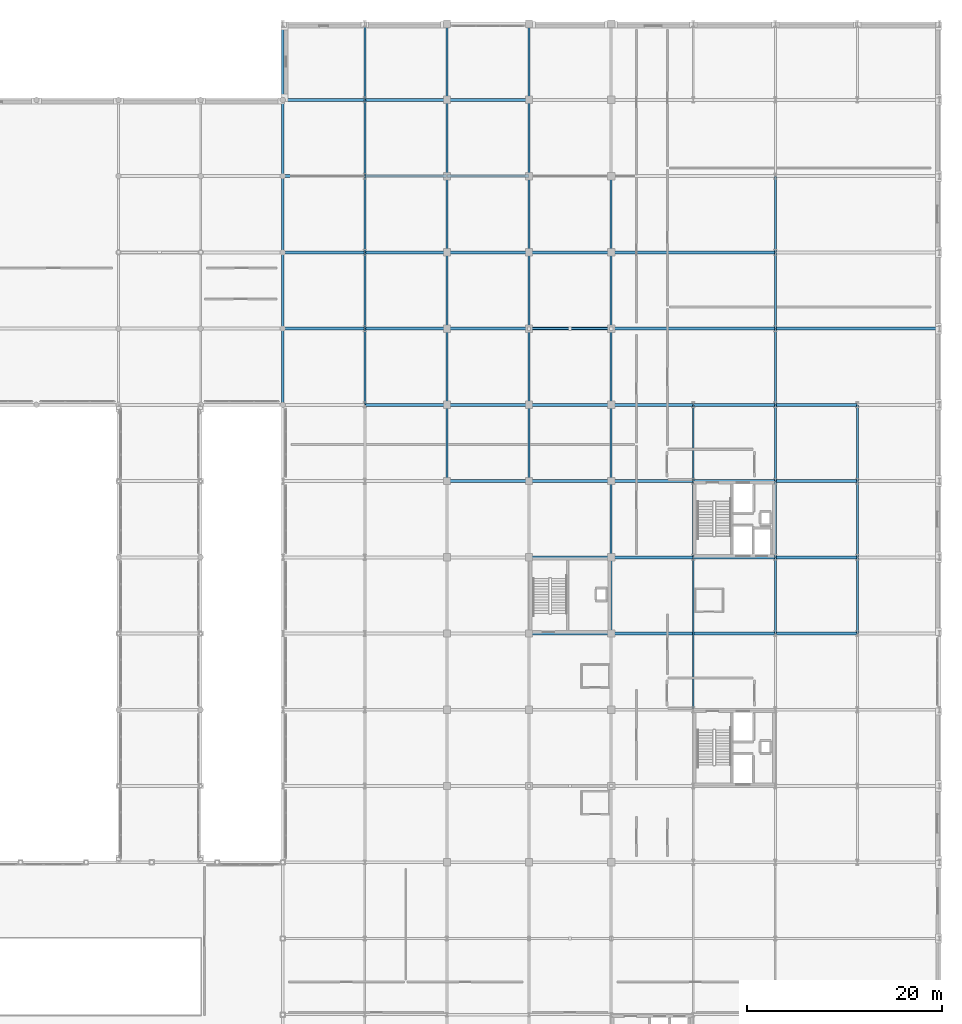
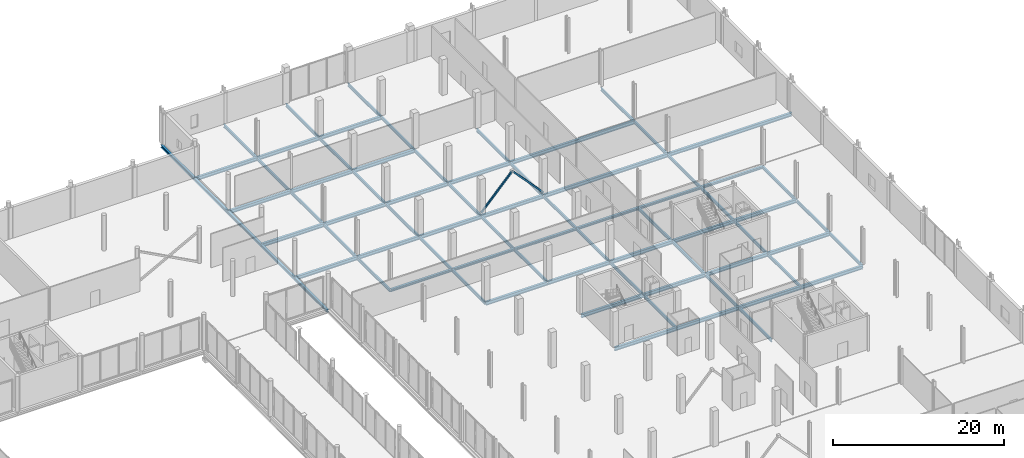
# One storey, part 62 of 105: 75 beams, 2 members.
"""IFC4 building model written with IfcOpenShell, lengths in metres."""

from ifc_helpers import new_model, si_unit, direction, frame, origin, origin_2d, place, context, subcontext, project, spatial, hollow_rectangle, i_section, extrude, material, material_profile, profile_set, type_object, element, save


model = new_model("IFC4")

# Units and contexts
model_context = context("Model", 3, precision=1e-05, world=origin(), true_north=direction((0.0, 1.0)))
body_context = subcontext(model_context, "Body", "Model", "MODEL_VIEW")
ifc_project = project(units=[si_unit("LENGTHUNIT", "METRE"), si_unit("AREAUNIT", "SQUARE_METRE"), si_unit("VOLUMEUNIT", "CUBIC_METRE"), si_unit("PLANEANGLEUNIT", "RADIAN"), si_unit("MASSUNIT", "GRAM", prefix="KILO")], contexts=[model_context])

# Site, building, storey
site_placement = place(None, origin())
site = spatial("IfcSite", under=ifc_project, at=site_placement, CompositionType="ELEMENT")
building_placement = place(site_placement, origin())
building = spatial("IfcBuilding", under=site, at=building_placement, Name="Nabrawat Pavilion Hospital", CompositionType="ELEMENT")
storey_placement = place(building_placement, frame((0.0, 0.0, 5.10009765625)))
storey = spatial("IfcBuildingStorey", under=building, at=storey_placement, Name="L01", CompositionType="ELEMENT", Elevation=5.10009765625)

# Members
ifc_material = material(Name="Steel S355", Category="steel")
ifc_material_profile_1 = material_profile(ifc_material, hollow_rectangle(XDim=0.199951171875, YDim=0.199951171875, WallThickness=0.012451171875, at=origin_2d()), Name="SHS 200x200x12.5")
ifc_profile_set_1 = profile_set([ifc_material_profile_1], Name="Steel S355")
member_type = type_object("IfcMemberType", Name="Mid Seismic Chevron Brace SHS 200x200x12.5", PredefinedType="BRACE", material=ifc_profile_set_1)
for number, where, z_axis, x_axis, name in (
    (1, (151.199951171875, 93.60009765625, 0.0498046875), (0.682314010889, 0.0, 0.73105922506), (0.0, 1.0, 0.0), "L01 Seismic Concentric Chevron Brace 069"),
    (2, (159.60009765625, 93.60009765625, 0.0498046875), (-0.682335207557, 0.0, 0.731039441158), (0.0, -1.0, 0.0), "L01 Seismic Concentric Chevron Brace 070"),
):
    element("IfcMember", number, at=place(storey_placement, frame(where, z_axis=z_axis, x_axis=x_axis)), inside=storey, type_object=member_type, Name=name, PredefinedType="BRACE", context=body_context, shape_type="SweptSolid", body=[
        extrude(hollow_rectangle(XDim=0.199951171875, YDim=0.199951171875, WallThickness=0.012451171875, at=origin_2d()), origin(), (0.0, 0.0, 1.0), 6.155517578125),
    ])

# Beams
ifc_material_profile_2 = material_profile(ifc_material, i_section(OverallWidth=0.300048828125, OverallDepth=0.389892578125, WebThickness=0.010986328125, FlangeThickness=0.01904296875, FilletRadius=0.027099609375, at=origin_2d()), Name="HEA 400")
ifc_profile_set_2 = profile_set([ifc_material_profile_2], Name="Steel S355")
beam_type_1 = type_object("IfcBeamType", Name="Perimeter Moment Spandrel Beam HEA 400", PredefinedType="SPANDREL", material=ifc_profile_set_2)
beam_1_placement = place(storey_placement, frame((126.0, 85.820068359375, -0.47509765625), z_axis=(0.0, 1.0, 0.0), x_axis=(-1.0, 0.0, 0.0)))
element("IfcBeam", 3, at=beam_1_placement, inside=storey, type_object=beam_type_1, Name="L01 Primary Y Beam 809", PredefinedType="SPANDREL", context=body_context, shape_type="SweptSolid", body=[
    extrude(i_section(OverallWidth=0.300048828125, OverallDepth=0.389892578125, WebThickness=0.010986328125, FlangeThickness=0.01904296875, FilletRadius=0.027099609375, at=origin_2d()), origin(), (0.0, 0.0, 1.0), 7.760009765625),
])
beam_2_placement = place(storey_placement, frame((126.0, 93.6201171875, -0.47509765625), z_axis=(0.0, 1.0, 0.0), x_axis=(-1.0, 0.0, 0.0)))
element("IfcBeam", 4, at=beam_2_placement, inside=storey, type_object=beam_type_1, Name="L01 Primary Y Beam 810", PredefinedType="SPANDREL", context=body_context, shape_type="SweptSolid", body=[
    extrude(i_section(OverallWidth=0.300048828125, OverallDepth=0.389892578125, WebThickness=0.010986328125, FlangeThickness=0.01904296875, FilletRadius=0.027099609375, at=origin_2d()), origin(), (0.0, 0.0, 1.0), 7.759765625),
])
for number, where, z_axis, x_axis, name in (
    (5, (126.0, 101.419921875, -0.47509765625), (0.0, 1.0, 0.0), (-1.0, 0.0, 0.0), "L01 Primary Y Beam 811"),
    (6, (126.0, 109.219970703125, -0.47509765625), (0.0, 1.0, 0.0), (-1.0, 0.0, 0.0), "L01 Primary Y Beam 812"),
    (7, (126.0, 117.02001953125, -0.445068359375), (0.0, 1.0, 0.0), (-1.0, 0.0, 0.0), "L01 Primary Y Beam 813"),
):
    element("IfcBeam", number, at=place(storey_placement, frame(where, z_axis=z_axis, x_axis=x_axis)), inside=storey, type_object=beam_type_1, Name=name, PredefinedType="SPANDREL", context=body_context, shape_type="SweptSolid", body=[
        extrude(i_section(OverallWidth=0.300048828125, OverallDepth=0.389892578125, WebThickness=0.010986328125, FlangeThickness=0.01904296875, FilletRadius=0.027099609375, at=origin_2d()), origin(), (0.0, 0.0, 1.0), 7.760009765625),
    ])
ifc_material_profile_3 = material_profile(ifc_material, i_section(OverallWidth=0.300048828125, OverallDepth=0.5, WebThickness=0.014404296875, FlangeThickness=0.028076171875, FilletRadius=0.027099609375, at=origin_2d()), Name="HEB 500")
ifc_profile_set_3 = profile_set([ifc_material_profile_3], Name="Steel S355")
beam_type_2 = type_object("IfcBeamType", Name="Primary Floor Girder HEB 500", PredefinedType="USERDEFINED", material=ifc_profile_set_3)
beam_3_placement = place(storey_placement, frame((151.219970703125, 62.39990234375, -0.5), z_axis=(1.0, 0.0, 0.0), x_axis=(0.0, 1.0, 0.0)))
element("IfcBeam", 8, at=beam_3_placement, inside=storey, type_object=beam_type_2, Name="L01 Primary X Girder 571", ObjectType="GIRDER", PredefinedType="USERDEFINED", context=body_context, shape_type="SweptSolid", body=[
    extrude(i_section(OverallWidth=0.300048828125, OverallDepth=0.5, WebThickness=0.014404296875, FlangeThickness=0.028076171875, FilletRadius=0.027099609375, at=origin_2d()), origin(), (0.0, 0.0, 1.0), 8.360107421875),
])
beam_4_placement = place(storey_placement, frame((159.6201171875, 62.39990234375, -0.5), z_axis=(1.0, 0.0, 0.0), x_axis=(0.0, 1.0, 0.0)))
element("IfcBeam", 9, at=beam_4_placement, inside=storey, type_object=beam_type_2, Name="L01 Primary X Girder 572", ObjectType="GIRDER", PredefinedType="USERDEFINED", context=body_context, shape_type="SweptSolid", body=[
    extrude(i_section(OverallWidth=0.300048828125, OverallDepth=0.5, WebThickness=0.014404296875, FlangeThickness=0.028076171875, FilletRadius=0.027099609375, at=origin_2d()), origin(), (0.0, 0.0, 1.0), 16.759765625),
])
for number, where, z_axis, x_axis, name in (
    (10, (176.419921875, 62.39990234375, -0.5), (1.0, 0.0, 0.0), (0.0, 1.0, 0.0), "L01 Primary X Girder 573"),
    (11, (151.219970703125, 70.199951171875, -0.5), (1.0, 0.0, 0.0), (0.0, 1.0, 0.0), "L01 Primary X Girder 582"),
):
    element("IfcBeam", number, at=place(storey_placement, frame(where, z_axis=z_axis, x_axis=x_axis)), inside=storey, type_object=beam_type_2, Name=name, ObjectType="GIRDER", PredefinedType="USERDEFINED", context=body_context, shape_type="SweptSolid", body=[
        extrude(i_section(OverallWidth=0.300048828125, OverallDepth=0.5, WebThickness=0.014404296875, FlangeThickness=0.028076171875, FilletRadius=0.027099609375, at=origin_2d()), origin(), (0.0, 0.0, 1.0), 8.360107421875),
    ])
for number, where, z_axis, x_axis, name in (
    (12, (159.6201171875, 70.199951171875, -0.5), (1.0, 0.0, 0.0), (0.0, 1.0, 0.0), "L01 Primary X Girder 583"),
    (13, (168.02001953125, 70.199951171875, -0.5), (1.0, 0.0, 0.0), (0.0, 1.0, 0.0), "L01 Primary X Girder 584"),
):
    element("IfcBeam", number, at=place(storey_placement, frame(where, z_axis=z_axis, x_axis=x_axis)), inside=storey, type_object=beam_type_2, Name=name, ObjectType="GIRDER", PredefinedType="USERDEFINED", context=body_context, shape_type="SweptSolid", body=[
        extrude(i_section(OverallWidth=0.300048828125, OverallDepth=0.5, WebThickness=0.014404296875, FlangeThickness=0.028076171875, FilletRadius=0.027099609375, at=origin_2d()), origin(), (0.0, 0.0, 1.0), 8.35986328125),
    ])
beam_5_placement = place(storey_placement, frame((176.419921875, 70.199951171875, -0.5), z_axis=(1.0, 0.0, 0.0), x_axis=(0.0, 1.0, 0.0)))
element("IfcBeam", 14, at=beam_5_placement, inside=storey, type_object=beam_type_2, Name="L01 Primary X Girder 585", ObjectType="GIRDER", PredefinedType="USERDEFINED", context=body_context, shape_type="SweptSolid", body=[
    extrude(i_section(OverallWidth=0.300048828125, OverallDepth=0.5, WebThickness=0.014404296875, FlangeThickness=0.028076171875, FilletRadius=0.027099609375, at=origin_2d()), origin(), (0.0, 0.0, 1.0), 8.360107421875),
])
beam_6_placement = place(storey_placement, frame((142.820068359375, 78.0, -0.5), z_axis=(1.0, 0.0, 0.0), x_axis=(0.0, 1.0, 0.0)))
element("IfcBeam", 15, at=beam_6_placement, inside=storey, type_object=beam_type_2, Name="L01 Primary X Girder 593", ObjectType="GIRDER", PredefinedType="USERDEFINED", context=body_context, shape_type="SweptSolid", body=[
    extrude(i_section(OverallWidth=0.300048828125, OverallDepth=0.5, WebThickness=0.014404296875, FlangeThickness=0.028076171875, FilletRadius=0.027099609375, at=origin_2d()), origin(), (0.0, 0.0, 1.0), 8.35986328125),
])
beam_7_placement = place(storey_placement, frame((151.219970703125, 78.0, -0.5), z_axis=(1.0, 0.0, 0.0), x_axis=(0.0, 1.0, 0.0)))
element("IfcBeam", 16, at=beam_7_placement, inside=storey, type_object=beam_type_2, Name="L01 Primary X Girder 594", ObjectType="GIRDER", PredefinedType="USERDEFINED", context=body_context, shape_type="SweptSolid", body=[
    extrude(i_section(OverallWidth=0.300048828125, OverallDepth=0.5, WebThickness=0.014404296875, FlangeThickness=0.028076171875, FilletRadius=0.027099609375, at=origin_2d()), origin(), (0.0, 0.0, 1.0), 8.360107421875),
])
for number, where, z_axis, x_axis, name in (
    (17, (159.6201171875, 78.0, -0.5), (1.0, 0.0, 0.0), (0.0, 1.0, 0.0), "L01 Primary X Girder 595"),
    (18, (168.02001953125, 78.0, -0.5), (1.0, 0.0, 0.0), (0.0, 1.0, 0.0), "L01 Primary X Girder 596"),
):
    element("IfcBeam", number, at=place(storey_placement, frame(where, z_axis=z_axis, x_axis=x_axis)), inside=storey, type_object=beam_type_2, Name=name, ObjectType="GIRDER", PredefinedType="USERDEFINED", context=body_context, shape_type="SweptSolid", body=[
        extrude(i_section(OverallWidth=0.300048828125, OverallDepth=0.5, WebThickness=0.014404296875, FlangeThickness=0.028076171875, FilletRadius=0.027099609375, at=origin_2d()), origin(), (0.0, 0.0, 1.0), 8.35986328125),
    ])
beam_8_placement = place(storey_placement, frame((176.419921875, 78.0, -0.5), z_axis=(1.0, 0.0, 0.0), x_axis=(0.0, 1.0, 0.0)))
element("IfcBeam", 19, at=beam_8_placement, inside=storey, type_object=beam_type_2, Name="L01 Primary X Girder 597", ObjectType="GIRDER", PredefinedType="USERDEFINED", context=body_context, shape_type="SweptSolid", body=[
    extrude(i_section(OverallWidth=0.300048828125, OverallDepth=0.5, WebThickness=0.014404296875, FlangeThickness=0.028076171875, FilletRadius=0.027099609375, at=origin_2d()), origin(), (0.0, 0.0, 1.0), 8.360107421875),
])
beam_9_placement = place(storey_placement, frame((126.02001953125, 93.60009765625, -0.5), z_axis=(1.0, 0.0, 0.0), x_axis=(0.0, 1.0, 0.0)))
element("IfcBeam", 20, at=beam_9_placement, inside=storey, type_object=beam_type_2, Name="L01 Primary X Girder 632", ObjectType="GIRDER", PredefinedType="USERDEFINED", context=body_context, shape_type="SweptSolid", body=[
    extrude(i_section(OverallWidth=0.300048828125, OverallDepth=0.5, WebThickness=0.014404296875, FlangeThickness=0.028076171875, FilletRadius=0.027099609375, at=origin_2d()), origin(), (0.0, 0.0, 1.0), 8.35986328125),
])
beam_10_placement = place(storey_placement, frame((134.419921875, 93.60009765625, -0.5), z_axis=(1.0, 0.0, 0.0), x_axis=(0.0, 1.0, 0.0)))
element("IfcBeam", 21, at=beam_10_placement, inside=storey, type_object=beam_type_2, Name="L01 Primary X Girder 633", ObjectType="GIRDER", PredefinedType="USERDEFINED", context=body_context, shape_type="SweptSolid", body=[
    extrude(i_section(OverallWidth=0.300048828125, OverallDepth=0.5, WebThickness=0.014404296875, FlangeThickness=0.028076171875, FilletRadius=0.027099609375, at=origin_2d()), origin(), (0.0, 0.0, 1.0), 8.360107421875),
])
beam_11_placement = place(storey_placement, frame((142.820068359375, 93.60009765625, -0.5), z_axis=(1.0, 0.0, 0.0), x_axis=(0.0, 1.0, 0.0)))
element("IfcBeam", 22, at=beam_11_placement, inside=storey, type_object=beam_type_2, Name="L01 Primary X Girder 634", ObjectType="GIRDER", PredefinedType="USERDEFINED", context=body_context, shape_type="SweptSolid", body=[
    extrude(i_section(OverallWidth=0.300048828125, OverallDepth=0.5, WebThickness=0.014404296875, FlangeThickness=0.028076171875, FilletRadius=0.027099609375, at=origin_2d()), origin(), (0.0, 0.0, 1.0), 8.35986328125),
])
beam_12_placement = place(storey_placement, frame((151.219970703125, 93.60009765625, -0.5), z_axis=(1.0, 0.0, 0.0), x_axis=(0.0, 1.0, 0.0)))
element("IfcBeam", 23, at=beam_12_placement, inside=storey, type_object=beam_type_2, Name="L01 Primary X Girder 635", ObjectType="GIRDER", PredefinedType="USERDEFINED", context=body_context, shape_type="SweptSolid", body=[
    extrude(i_section(OverallWidth=0.300048828125, OverallDepth=0.5, WebThickness=0.014404296875, FlangeThickness=0.028076171875, FilletRadius=0.027099609375, at=origin_2d()), origin(), (0.0, 0.0, 1.0), 8.360107421875),
])
beam_13_placement = place(storey_placement, frame((159.6201171875, 93.60009765625, -0.5), z_axis=(1.0, 0.0, 0.0), x_axis=(0.0, 1.0, 0.0)))
element("IfcBeam", 24, at=beam_13_placement, inside=storey, type_object=beam_type_2, Name="L01 Primary X Girder 636", ObjectType="GIRDER", PredefinedType="USERDEFINED", context=body_context, shape_type="SweptSolid", body=[
    extrude(i_section(OverallWidth=0.300048828125, OverallDepth=0.5, WebThickness=0.014404296875, FlangeThickness=0.028076171875, FilletRadius=0.027099609375, at=origin_2d()), origin(), (0.0, 0.0, 1.0), 16.759765625),
])
beam_14_placement = place(storey_placement, frame((176.419921875, 93.60009765625, -0.5), z_axis=(1.0, 0.0, 0.0), x_axis=(0.0, 1.0, 0.0)))
element("IfcBeam", 25, at=beam_14_placement, inside=storey, type_object=beam_type_2, Name="L01 Primary X Girder 637", ObjectType="GIRDER", PredefinedType="USERDEFINED", context=body_context, shape_type="SweptSolid", body=[
    extrude(i_section(OverallWidth=0.300048828125, OverallDepth=0.5, WebThickness=0.014404296875, FlangeThickness=0.028076171875, FilletRadius=0.027099609375, at=origin_2d()), origin(), (0.0, 0.0, 1.0), 16.760009765625),
])
beam_15_placement = place(storey_placement, frame((126.02001953125, 101.39990234375, -0.5), z_axis=(1.0, 0.0, 0.0), x_axis=(0.0, 1.0, 0.0)))
element("IfcBeam", 26, at=beam_15_placement, inside=storey, type_object=beam_type_2, Name="L01 Primary X Girder 645", ObjectType="GIRDER", PredefinedType="USERDEFINED", context=body_context, shape_type="SweptSolid", body=[
    extrude(i_section(OverallWidth=0.300048828125, OverallDepth=0.5, WebThickness=0.014404296875, FlangeThickness=0.028076171875, FilletRadius=0.027099609375, at=origin_2d()), origin(), (0.0, 0.0, 1.0), 8.35986328125),
])
beam_16_placement = place(storey_placement, frame((134.419921875, 101.39990234375, -0.5), z_axis=(1.0, 0.0, 0.0), x_axis=(0.0, 1.0, 0.0)))
element("IfcBeam", 27, at=beam_16_placement, inside=storey, type_object=beam_type_2, Name="L01 Primary X Girder 646", ObjectType="GIRDER", PredefinedType="USERDEFINED", context=body_context, shape_type="SweptSolid", body=[
    extrude(i_section(OverallWidth=0.300048828125, OverallDepth=0.5, WebThickness=0.014404296875, FlangeThickness=0.028076171875, FilletRadius=0.027099609375, at=origin_2d()), origin(), (0.0, 0.0, 1.0), 8.360107421875),
])
beam_17_placement = place(storey_placement, frame((142.820068359375, 101.39990234375, -0.5), z_axis=(1.0, 0.0, 0.0), x_axis=(0.0, 1.0, 0.0)))
element("IfcBeam", 28, at=beam_17_placement, inside=storey, type_object=beam_type_2, Name="L01 Primary X Girder 647", ObjectType="GIRDER", PredefinedType="USERDEFINED", context=body_context, shape_type="SweptSolid", body=[
    extrude(i_section(OverallWidth=0.300048828125, OverallDepth=0.5, WebThickness=0.014404296875, FlangeThickness=0.028076171875, FilletRadius=0.027099609375, at=origin_2d()), origin(), (0.0, 0.0, 1.0), 8.35986328125),
])
beam_18_placement = place(storey_placement, frame((151.219970703125, 101.39990234375, -0.5), z_axis=(1.0, 0.0, 0.0), x_axis=(0.0, 1.0, 0.0)))
element("IfcBeam", 29, at=beam_18_placement, inside=storey, type_object=beam_type_2, Name="L01 Primary X Girder 648", ObjectType="GIRDER", PredefinedType="USERDEFINED", context=body_context, shape_type="SweptSolid", body=[
    extrude(i_section(OverallWidth=0.300048828125, OverallDepth=0.5, WebThickness=0.014404296875, FlangeThickness=0.028076171875, FilletRadius=0.027099609375, at=origin_2d()), origin(), (0.0, 0.0, 1.0), 8.360107421875),
])
beam_19_placement = place(storey_placement, frame((159.6201171875, 101.39990234375, -0.5), z_axis=(1.0, 0.0, 0.0), x_axis=(0.0, 1.0, 0.0)))
element("IfcBeam", 30, at=beam_19_placement, inside=storey, type_object=beam_type_2, Name="L01 Primary X Girder 649", ObjectType="GIRDER", PredefinedType="USERDEFINED", context=body_context, shape_type="SweptSolid", body=[
    extrude(i_section(OverallWidth=0.300048828125, OverallDepth=0.5, WebThickness=0.014404296875, FlangeThickness=0.028076171875, FilletRadius=0.027099609375, at=origin_2d()), origin(), (0.0, 0.0, 1.0), 16.759765625),
])
beam_20_placement = place(storey_placement, frame((126.02001953125, 109.199951171875, -0.5), z_axis=(1.0, 0.0, 0.0), x_axis=(0.0, 1.0, 0.0)))
element("IfcBeam", 31, at=beam_20_placement, inside=storey, type_object=beam_type_2, Name="L01 Primary X Girder 657", ObjectType="GIRDER", PredefinedType="USERDEFINED", context=body_context, shape_type="SweptSolid", body=[
    extrude(i_section(OverallWidth=0.300048828125, OverallDepth=0.5, WebThickness=0.014404296875, FlangeThickness=0.028076171875, FilletRadius=0.027099609375, at=origin_2d()), origin(), (0.0, 0.0, 1.0), 8.35986328125),
])
beam_21_placement = place(storey_placement, frame((134.419921875, 109.199951171875, -0.5), z_axis=(1.0, 0.0, 0.0), x_axis=(0.0, 1.0, 0.0)))
element("IfcBeam", 32, at=beam_21_placement, inside=storey, type_object=beam_type_2, Name="L01 Primary X Girder 658", ObjectType="GIRDER", PredefinedType="USERDEFINED", context=body_context, shape_type="SweptSolid", body=[
    extrude(i_section(OverallWidth=0.300048828125, OverallDepth=0.5, WebThickness=0.014404296875, FlangeThickness=0.028076171875, FilletRadius=0.027099609375, at=origin_2d()), origin(), (0.0, 0.0, 1.0), 8.360107421875),
])
for number, where, z_axis, x_axis, name in (
    (33, (142.820068359375, 109.199951171875, -0.5), (1.0, 0.0, 0.0), (0.0, 1.0, 0.0), "L01 Primary X Girder 659"),
    (34, (126.02001953125, 117.0, -0.5), (1.0, 0.0, 0.0), (0.0, 1.0, 0.0), "L01 Primary X Girder 678"),
):
    element("IfcBeam", number, at=place(storey_placement, frame(where, z_axis=z_axis, x_axis=x_axis)), inside=storey, type_object=beam_type_2, Name=name, ObjectType="GIRDER", PredefinedType="USERDEFINED", context=body_context, shape_type="SweptSolid", body=[
        extrude(i_section(OverallWidth=0.300048828125, OverallDepth=0.5, WebThickness=0.014404296875, FlangeThickness=0.028076171875, FilletRadius=0.027099609375, at=origin_2d()), origin(), (0.0, 0.0, 1.0), 8.35986328125),
    ])
beam_22_placement = place(storey_placement, frame((134.419921875, 117.0, -0.5), z_axis=(1.0, 0.0, 0.0), x_axis=(0.0, 1.0, 0.0)))
element("IfcBeam", 35, at=beam_22_placement, inside=storey, type_object=beam_type_2, Name="L01 Primary X Girder 679", ObjectType="GIRDER", PredefinedType="USERDEFINED", context=body_context, shape_type="SweptSolid", body=[
    extrude(i_section(OverallWidth=0.300048828125, OverallDepth=0.5, WebThickness=0.014404296875, FlangeThickness=0.028076171875, FilletRadius=0.027099609375, at=origin_2d()), origin(), (0.0, 0.0, 1.0), 8.360107421875),
])
beam_23_placement = place(storey_placement, frame((142.820068359375, 117.0, -0.5), z_axis=(1.0, 0.0, 0.0), x_axis=(0.0, 1.0, 0.0)))
element("IfcBeam", 36, at=beam_23_placement, inside=storey, type_object=beam_type_2, Name="L01 Primary X Girder 680", ObjectType="GIRDER", PredefinedType="USERDEFINED", context=body_context, shape_type="SweptSolid", body=[
    extrude(i_section(OverallWidth=0.300048828125, OverallDepth=0.5, WebThickness=0.014404296875, FlangeThickness=0.028076171875, FilletRadius=0.027099609375, at=origin_2d()), origin(), (0.0, 0.0, 1.0), 8.35986328125),
])
ifc_material_profile_4 = material_profile(ifc_material, i_section(OverallWidth=0.18994140625, OverallDepth=0.449951171875, WebThickness=0.009521484375, FlangeThickness=0.0146484375, FilletRadius=0.02099609375, at=origin_2d()), Name="IPE 450")
ifc_profile_set_4 = profile_set([ifc_material_profile_4], Name="Steel S355")
beam_type_3 = type_object("IfcBeamType", Name="Primary Y Floor Beam IPE 450", PredefinedType="BEAM", material=ifc_profile_set_4)
beam_24_placement = place(storey_placement, frame((134.39990234375, 85.820068359375, -0.47509765625), z_axis=(0.0, 1.0, 0.0), x_axis=(-1.0, 0.0, 0.0)))
element("IfcBeam", 37, at=beam_24_placement, inside=storey, type_object=beam_type_3, Name="L01 Primary Y Beam 825", PredefinedType="BEAM", context=body_context, shape_type="SweptSolid", body=[
    extrude(i_section(OverallWidth=0.18994140625, OverallDepth=0.449951171875, WebThickness=0.009521484375, FlangeThickness=0.0146484375, FilletRadius=0.02099609375, at=origin_2d()), origin(), (0.0, 0.0, 1.0), 7.760009765625),
])
beam_25_placement = place(storey_placement, frame((134.39990234375, 93.6201171875, -0.47509765625), z_axis=(0.0, 1.0, 0.0), x_axis=(-1.0, 0.0, 0.0)))
element("IfcBeam", 38, at=beam_25_placement, inside=storey, type_object=beam_type_3, Name="L01 Primary Y Beam 826", PredefinedType="BEAM", context=body_context, shape_type="SweptSolid", body=[
    extrude(i_section(OverallWidth=0.18994140625, OverallDepth=0.449951171875, WebThickness=0.009521484375, FlangeThickness=0.0146484375, FilletRadius=0.02099609375, at=origin_2d()), origin(), (0.0, 0.0, 1.0), 7.759765625),
])
for number, where, z_axis, x_axis, name in (
    (39, (134.39990234375, 101.419921875, -0.47509765625), (0.0, 1.0, 0.0), (-1.0, 0.0, 0.0), "L01 Primary Y Beam 827"),
    (40, (134.39990234375, 109.219970703125, -0.47509765625), (0.0, 1.0, 0.0), (-1.0, 0.0, 0.0), "L01 Primary Y Beam 828"),
    (41, (134.39990234375, 117.02001953125, -0.47509765625), (0.0, 1.0, 0.0), (-1.0, 0.0, 0.0), "L01 Primary Y Beam 829"),
    (42, (142.800048828125, 78.02001953125, -0.47509765625), (0.0, 1.0, 0.0), (-1.0, 0.0, 0.0), "L01 Primary Y Beam 840"),
    (43, (142.800048828125, 85.820068359375, -0.47509765625), (0.0, 1.0, 0.0), (-1.0, 0.0, 0.0), "L01 Primary Y Beam 841"),
):
    element("IfcBeam", number, at=place(storey_placement, frame(where, z_axis=z_axis, x_axis=x_axis)), inside=storey, type_object=beam_type_3, Name=name, PredefinedType="BEAM", context=body_context, shape_type="SweptSolid", body=[
        extrude(i_section(OverallWidth=0.18994140625, OverallDepth=0.449951171875, WebThickness=0.009521484375, FlangeThickness=0.0146484375, FilletRadius=0.02099609375, at=origin_2d()), origin(), (0.0, 0.0, 1.0), 7.760009765625),
    ])
beam_26_placement = place(storey_placement, frame((142.800048828125, 93.6201171875, -0.47509765625), z_axis=(0.0, 1.0, 0.0), x_axis=(-1.0, 0.0, 0.0)))
element("IfcBeam", 44, at=beam_26_placement, inside=storey, type_object=beam_type_3, Name="L01 Primary Y Beam 842", PredefinedType="BEAM", context=body_context, shape_type="SweptSolid", body=[
    extrude(i_section(OverallWidth=0.18994140625, OverallDepth=0.449951171875, WebThickness=0.009521484375, FlangeThickness=0.0146484375, FilletRadius=0.02099609375, at=origin_2d()), origin(), (0.0, 0.0, 1.0), 7.759765625),
])
for number, where, z_axis, x_axis, name in (
    (45, (142.800048828125, 101.419921875, -0.47509765625), (0.0, 1.0, 0.0), (-1.0, 0.0, 0.0), "L01 Primary Y Beam 843"),
    (46, (142.800048828125, 109.219970703125, -0.47509765625), (0.0, 1.0, 0.0), (-1.0, 0.0, 0.0), "L01 Primary Y Beam 844"),
    (47, (142.800048828125, 117.02001953125, -0.47509765625), (0.0, 1.0, 0.0), (-1.0, 0.0, 0.0), "L01 Primary Y Beam 845"),
    (48, (151.199951171875, 78.02001953125, -0.47509765625), (0.0, 1.0, 0.0), (-1.0, 0.0, 0.0), "L01 Primary Y Beam 856"),
    (49, (151.199951171875, 85.820068359375, -0.47509765625), (0.0, 1.0, 0.0), (-1.0, 0.0, 0.0), "L01 Primary Y Beam 857"),
):
    element("IfcBeam", number, at=place(storey_placement, frame(where, z_axis=z_axis, x_axis=x_axis)), inside=storey, type_object=beam_type_3, Name=name, PredefinedType="BEAM", context=body_context, shape_type="SweptSolid", body=[
        extrude(i_section(OverallWidth=0.18994140625, OverallDepth=0.449951171875, WebThickness=0.009521484375, FlangeThickness=0.0146484375, FilletRadius=0.02099609375, at=origin_2d()), origin(), (0.0, 0.0, 1.0), 7.760009765625),
    ])
beam_27_placement = place(storey_placement, frame((151.199951171875, 93.6201171875, -0.47509765625), z_axis=(0.0, 1.0, 0.0), x_axis=(-1.0, 0.0, 0.0)))
element("IfcBeam", 50, at=beam_27_placement, inside=storey, type_object=beam_type_3, Name="L01 Primary Y Beam 858", PredefinedType="BEAM", context=body_context, shape_type="SweptSolid", body=[
    extrude(i_section(OverallWidth=0.18994140625, OverallDepth=0.449951171875, WebThickness=0.009521484375, FlangeThickness=0.0146484375, FilletRadius=0.02099609375, at=origin_2d()), origin(), (0.0, 0.0, 1.0), 7.759765625),
])
for number, where, z_axis, x_axis, name in (
    (51, (151.199951171875, 101.419921875, -0.47509765625), (0.0, 1.0, 0.0), (-1.0, 0.0, 0.0), "L01 Primary Y Beam 859"),
    (52, (151.199951171875, 109.219970703125, -0.47509765625), (0.0, 1.0, 0.0), (-1.0, 0.0, 0.0), "L01 Primary Y Beam 860"),
    (53, (151.199951171875, 117.02001953125, -0.47509765625), (0.0, 1.0, 0.0), (-1.0, 0.0, 0.0), "L01 Primary Y Beam 861"),
    (54, (159.60009765625, 62.419921875, -0.47509765625), (0.0, 1.0, 0.0), (-1.0, 0.0, 0.0), "L01 Primary Y Beam 870"),
    (55, (159.60009765625, 70.219970703125, -0.47509765625), (0.0, 1.0, 0.0), (-1.0, 0.0, 0.0), "L01 Primary Y Beam 871"),
    (56, (159.60009765625, 78.02001953125, -0.47509765625), (0.0, 1.0, 0.0), (-1.0, 0.0, 0.0), "L01 Primary Y Beam 872"),
    (57, (159.60009765625, 85.820068359375, -0.47509765625), (0.0, 1.0, 0.0), (-1.0, 0.0, 0.0), "L01 Primary Y Beam 873"),
):
    element("IfcBeam", number, at=place(storey_placement, frame(where, z_axis=z_axis, x_axis=x_axis)), inside=storey, type_object=beam_type_3, Name=name, PredefinedType="BEAM", context=body_context, shape_type="SweptSolid", body=[
        extrude(i_section(OverallWidth=0.18994140625, OverallDepth=0.449951171875, WebThickness=0.009521484375, FlangeThickness=0.0146484375, FilletRadius=0.02099609375, at=origin_2d()), origin(), (0.0, 0.0, 1.0), 7.760009765625),
    ])
beam_28_placement = place(storey_placement, frame((159.60009765625, 93.6201171875, -0.47509765625), z_axis=(0.0, 1.0, 0.0), x_axis=(-1.0, 0.0, 0.0)))
element("IfcBeam", 58, at=beam_28_placement, inside=storey, type_object=beam_type_3, Name="L01 Primary Y Beam 874", PredefinedType="BEAM", context=body_context, shape_type="SweptSolid", body=[
    extrude(i_section(OverallWidth=0.18994140625, OverallDepth=0.449951171875, WebThickness=0.009521484375, FlangeThickness=0.0146484375, FilletRadius=0.02099609375, at=origin_2d()), origin(), (0.0, 0.0, 1.0), 7.759765625),
])
beam_29_placement = place(storey_placement, frame((159.60009765625, 101.419921875, -0.47509765625), z_axis=(0.0, 1.0, 0.0), x_axis=(-1.0, 0.0, 0.0)))
element("IfcBeam", 59, at=beam_29_placement, inside=storey, type_object=beam_type_3, Name="L01 Primary Y Beam 875", PredefinedType="BEAM", context=body_context, shape_type="SweptSolid", body=[
    extrude(i_section(OverallWidth=0.18994140625, OverallDepth=0.449951171875, WebThickness=0.009521484375, FlangeThickness=0.0146484375, FilletRadius=0.02099609375, at=origin_2d()), origin(), (0.0, 0.0, 1.0), 7.760009765625),
])
beam_30_placement = place(storey_placement, frame((168.0, 54.6201171875, -0.47509765625), z_axis=(0.0, 1.0, 0.0), x_axis=(-1.0, 0.0, 0.0)))
element("IfcBeam", 60, at=beam_30_placement, inside=storey, type_object=beam_type_3, Name="L01 Primary Y Beam 883", PredefinedType="BEAM", context=body_context, shape_type="SweptSolid", body=[
    extrude(i_section(OverallWidth=0.18994140625, OverallDepth=0.449951171875, WebThickness=0.009521484375, FlangeThickness=0.0146484375, FilletRadius=0.02099609375, at=origin_2d()), origin(), (0.0, 0.0, 1.0), 15.559814453125),
])
for number, where, z_axis, x_axis, name in (
    (61, (168.0, 70.219970703125, -0.47509765625), (0.0, 1.0, 0.0), (-1.0, 0.0, 0.0), "L01 Primary Y Beam 884"),
    (62, (168.0, 78.02001953125, -0.47509765625), (0.0, 1.0, 0.0), (-1.0, 0.0, 0.0), "L01 Primary Y Beam 885"),
    (63, (176.39990234375, 62.419921875, -0.47509765625), (0.0, 1.0, 0.0), (-1.0, 0.0, 0.0), "L01 Primary Y Beam 895"),
    (64, (176.39990234375, 70.219970703125, -0.47509765625), (0.0, 1.0, 0.0), (-1.0, 0.0, 0.0), "L01 Primary Y Beam 896"),
    (65, (176.39990234375, 78.02001953125, -0.47509765625), (0.0, 1.0, 0.0), (-1.0, 0.0, 0.0), "L01 Primary Y Beam 897"),
    (66, (176.39990234375, 85.820068359375, -0.47509765625), (0.0, 1.0, 0.0), (-1.0, 0.0, 0.0), "L01 Primary Y Beam 898"),
):
    element("IfcBeam", number, at=place(storey_placement, frame(where, z_axis=z_axis, x_axis=x_axis)), inside=storey, type_object=beam_type_3, Name=name, PredefinedType="BEAM", context=body_context, shape_type="SweptSolid", body=[
        extrude(i_section(OverallWidth=0.18994140625, OverallDepth=0.449951171875, WebThickness=0.009521484375, FlangeThickness=0.0146484375, FilletRadius=0.02099609375, at=origin_2d()), origin(), (0.0, 0.0, 1.0), 7.760009765625),
    ])
beam_31_placement = place(storey_placement, frame((176.39990234375, 93.6201171875, -0.47509765625), z_axis=(0.0, 1.0, 0.0), x_axis=(-1.0, 0.0, 0.0)))
element("IfcBeam", 67, at=beam_31_placement, inside=storey, type_object=beam_type_3, Name="L01 Primary Y Beam 899", PredefinedType="BEAM", context=body_context, shape_type="SweptSolid", body=[
    extrude(i_section(OverallWidth=0.18994140625, OverallDepth=0.449951171875, WebThickness=0.009521484375, FlangeThickness=0.0146484375, FilletRadius=0.02099609375, at=origin_2d()), origin(), (0.0, 0.0, 1.0), 7.759765625),
])
for number, where, z_axis, x_axis, name in (
    (68, (176.39990234375, 101.419921875, -0.47509765625), (0.0, 1.0, 0.0), (-1.0, 0.0, 0.0), "L01 Primary Y Beam 900"),
    (69, (184.800048828125, 62.419921875, -0.47509765625), (0.0, 1.0, 0.0), (-1.0, 0.0, 0.0), "L01 Primary Y Beam 907"),
    (70, (184.800048828125, 70.219970703125, -0.47509765625), (0.0, 1.0, 0.0), (-1.0, 0.0, 0.0), "L01 Primary Y Beam 908"),
    (71, (184.800048828125, 78.02001953125, -0.47509765625), (0.0, 1.0, 0.0), (-1.0, 0.0, 0.0), "L01 Primary Y Beam 909"),
):
    element("IfcBeam", number, at=place(storey_placement, frame(where, z_axis=z_axis, x_axis=x_axis)), inside=storey, type_object=beam_type_3, Name=name, PredefinedType="BEAM", context=body_context, shape_type="SweptSolid", body=[
        extrude(i_section(OverallWidth=0.18994140625, OverallDepth=0.449951171875, WebThickness=0.009521484375, FlangeThickness=0.0146484375, FilletRadius=0.02099609375, at=origin_2d()), origin(), (0.0, 0.0, 1.0), 7.760009765625),
    ])
ifc_material_profile_5 = material_profile(ifc_material, i_section(OverallWidth=0.300048828125, OverallDepth=0.340087890625, WebThickness=0.011962890625, FlangeThickness=0.021484375, FilletRadius=0.027099609375, at=origin_2d()), Name="HEB 340")
ifc_profile_set_5 = profile_set([ifc_material_profile_5], Name="Steel S355")
beam_type_4 = type_object("IfcBeamType", Name="Ward Perimeter Spandrel Beam HEB 340", PredefinedType="SPANDREL", material=ifc_profile_set_5)
beam_32_placement = place(storey_placement, frame((134.419921875, 85.800048828125, -0.420166015625), z_axis=(1.0, 0.0, 0.0), x_axis=(0.0, 1.0, 0.0)))
element("IfcBeam", 72, at=beam_32_placement, inside=storey, type_object=beam_type_4, Name="L01 Primary X Girder 615", PredefinedType="SPANDREL", context=body_context, shape_type="SweptSolid", body=[
    extrude(i_section(OverallWidth=0.300048828125, OverallDepth=0.340087890625, WebThickness=0.011962890625, FlangeThickness=0.021484375, FilletRadius=0.027099609375, at=origin_2d()), origin(), (0.0, 0.0, 1.0), 8.360107421875),
])
beam_33_placement = place(storey_placement, frame((142.820068359375, 85.800048828125, -0.420166015625), z_axis=(1.0, 0.0, 0.0), x_axis=(0.0, 1.0, 0.0)))
element("IfcBeam", 73, at=beam_33_placement, inside=storey, type_object=beam_type_4, Name="L01 Primary X Girder 616", PredefinedType="SPANDREL", context=body_context, shape_type="SweptSolid", body=[
    extrude(i_section(OverallWidth=0.300048828125, OverallDepth=0.340087890625, WebThickness=0.011962890625, FlangeThickness=0.021484375, FilletRadius=0.027099609375, at=origin_2d()), origin(), (0.0, 0.0, 1.0), 8.35986328125),
])
beam_34_placement = place(storey_placement, frame((151.219970703125, 85.800048828125, -0.420166015625), z_axis=(1.0, 0.0, 0.0), x_axis=(0.0, 1.0, 0.0)))
element("IfcBeam", 74, at=beam_34_placement, inside=storey, type_object=beam_type_4, Name="L01 Primary X Girder 617", PredefinedType="SPANDREL", context=body_context, shape_type="SweptSolid", body=[
    extrude(i_section(OverallWidth=0.300048828125, OverallDepth=0.340087890625, WebThickness=0.011962890625, FlangeThickness=0.021484375, FilletRadius=0.027099609375, at=origin_2d()), origin(), (0.0, 0.0, 1.0), 8.360107421875),
])
for number, where, z_axis, x_axis, name in (
    (75, (159.6201171875, 85.800048828125, -0.420166015625), (1.0, 0.0, 0.0), (0.0, 1.0, 0.0), "L01 Primary X Girder 618"),
    (76, (168.02001953125, 85.800048828125, -0.420166015625), (1.0, 0.0, 0.0), (0.0, 1.0, 0.0), "L01 Primary X Girder 619"),
):
    element("IfcBeam", number, at=place(storey_placement, frame(where, z_axis=z_axis, x_axis=x_axis)), inside=storey, type_object=beam_type_4, Name=name, PredefinedType="SPANDREL", context=body_context, shape_type="SweptSolid", body=[
        extrude(i_section(OverallWidth=0.300048828125, OverallDepth=0.340087890625, WebThickness=0.011962890625, FlangeThickness=0.021484375, FilletRadius=0.027099609375, at=origin_2d()), origin(), (0.0, 0.0, 1.0), 8.35986328125),
    ])
beam_35_placement = place(storey_placement, frame((176.419921875, 85.800048828125, -0.420166015625), z_axis=(1.0, 0.0, 0.0), x_axis=(0.0, 1.0, 0.0)))
element("IfcBeam", 77, at=beam_35_placement, inside=storey, type_object=beam_type_4, Name="L01 Primary X Girder 620", PredefinedType="SPANDREL", context=body_context, shape_type="SweptSolid", body=[
    extrude(i_section(OverallWidth=0.300048828125, OverallDepth=0.340087890625, WebThickness=0.011962890625, FlangeThickness=0.021484375, FilletRadius=0.027099609375, at=origin_2d()), origin(), (0.0, 0.0, 1.0), 8.360107421875),
])

save(model, "model.ifc")
